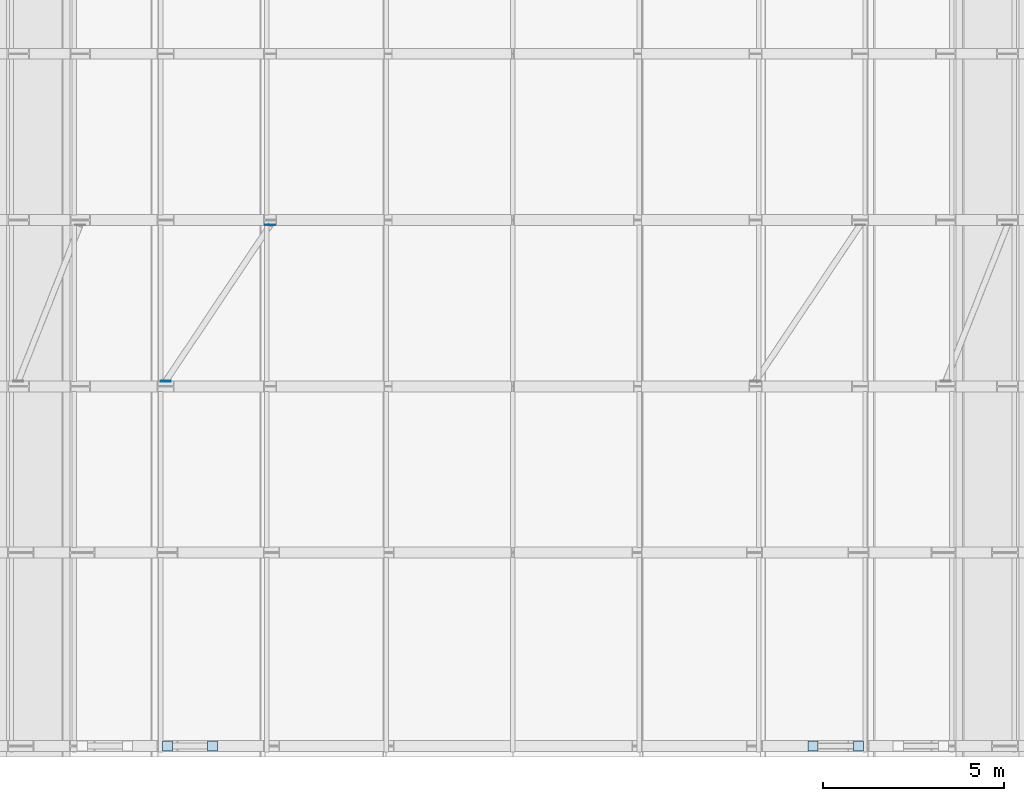
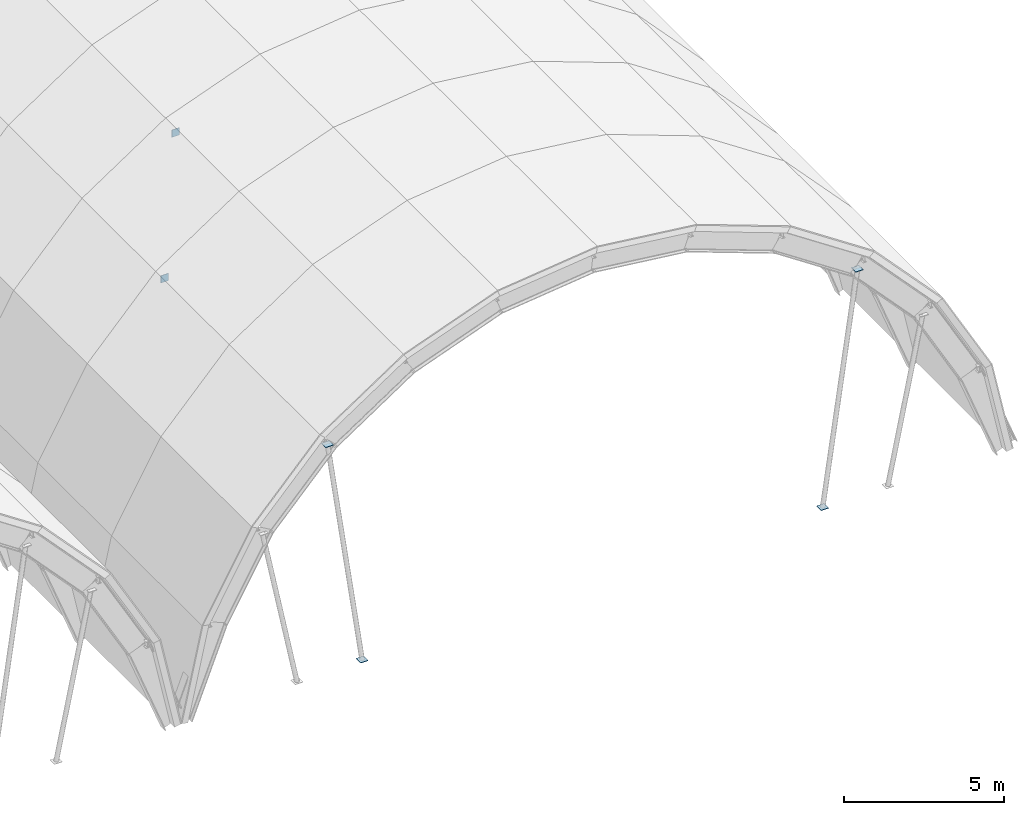
# One storey, part 32 of 47: 6 plates.
"""IFC4 building model written with IfcOpenShell, lengths in metres."""

from ifc_helpers import new_model, si_unit, direction, frame, origin, origin_2d, place, context, subcontext, project, spatial, rectangle, extrude, material, layer, layer_set, type_object, element, save


model = new_model("IFC4")

# Units and contexts
model_context = context("Model", 3, precision=1e-05, world=origin(), true_north=direction((0.0, 1.0)))
body_context = subcontext(model_context, "Body", "Model", "MODEL_VIEW")
ifc_project = project(units=[si_unit("LENGTHUNIT", "METRE"), si_unit("AREAUNIT", "SQUARE_METRE"), si_unit("VOLUMEUNIT", "CUBIC_METRE"), si_unit("PLANEANGLEUNIT", "RADIAN"), si_unit("MASSUNIT", "GRAM", prefix="KILO")], contexts=[model_context])

# Site, building, storey
site_placement = place(None, origin())
site = spatial("IfcSite", under=ifc_project, at=site_placement, CompositionType="ELEMENT")
building_placement = place(site_placement, origin())
building = spatial("IfcBuilding", under=site, at=building_placement, Name="Muzn Square Opera House", CompositionType="ELEMENT")
storey_placement = place(building_placement, frame((0.0, 0.0, 31.0)))
storey = spatial("IfcBuildingStorey", under=building, at=storey_placement, Name="RF-1", CompositionType="ELEMENT", Elevation=31.0)

# Plates
ifc_material = material(Name="Steel S355", Category="steel")
ifc_layer = layer(ifc_material, 0.01806640625, Name="Steel S355", Category="steel")
ifc_layer_set = layer_set([ifc_layer], Name="Steel S355")
plate_type = type_object("IfcPlateType", Name="Brace Cap Plate 18mm 280x280", PredefinedType="USERDEFINED", material=ifc_layer_set)
for number, where, z_axis, x_axis, name in (
    (1, (109.694091796875, 21.25, -12.589111328125), (0.0, 0.0, 1.0), (1.0, 0.0, 0.0), "Exposed Gable Truss Gusset V3-W02-A"),
    (2, (108.444091796875, 21.25, -3.939697265625), (0.0, 0.0, 1.0), (1.0, 0.0, 0.0), "Exposed Gable Truss Gusset V3-W02-B"),
    (3, (126.305908203125, 21.25, -12.589111328125), (0.0, 0.0, 1.0), (1.0, 0.0, 0.0), "Exposed Gable Truss Gusset V3-W03-A"),
    (4, (127.555908203125, 21.25, -3.939697265625), (0.0, 0.0, 1.0), (1.0, 0.0, 0.0), "Exposed Gable Truss Gusset V3-W03-B"),
):
    element("IfcPlate", number, at=place(storey_placement, frame(where, z_axis=z_axis, x_axis=x_axis)), inside=storey, type_object=plate_type, Name=name, ObjectType="GUSSET PLATE", PredefinedType="USERDEFINED", context=body_context, shape_type="SweptSolid", body=[
        extrude(rectangle(XDim=0.280029296875, YDim=0.280029296875, at=origin_2d()), origin(), (0.0, 0.0, 1.0), 0.01806640625),
    ])
for number, where, z_axis, x_axis, name in (
    (5, (108.3955078125, 31.340087890625, -3.83349609375), (0.0, 0.0, 1.0), (1.0, 0.0, 0.0), "Vault Wind Brace End Cap Plate V3-02-08-A"),
    (6, (111.28857421875, 35.659912109375, -1.90966796875), (0.0, 0.0, 1.0), (1.0, 0.0, 0.0), "Vault Wind Brace End Cap Plate V3-02-08-B"),
):
    element("IfcPlate", number, at=place(storey_placement, frame(where, z_axis=z_axis, x_axis=x_axis)), inside=storey, type_object=plate_type, Name=name, ObjectType="GUSSET PLATE", PredefinedType="USERDEFINED", context=body_context, shape_type="SweptSolid", body=[
        extrude(rectangle(XDim=0.280029296875, YDim=0.01806640625, at=origin_2d()), origin(), (0.0, 0.0, 1.0), 0.280029296875),
    ])

save(model, "model.ifc")
